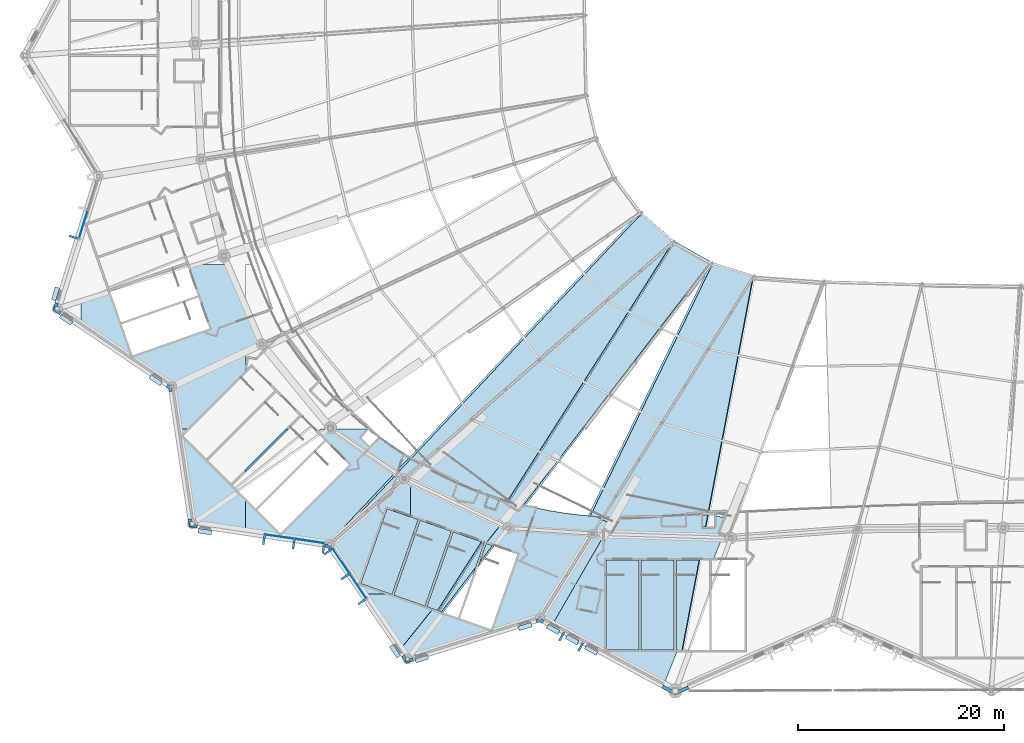
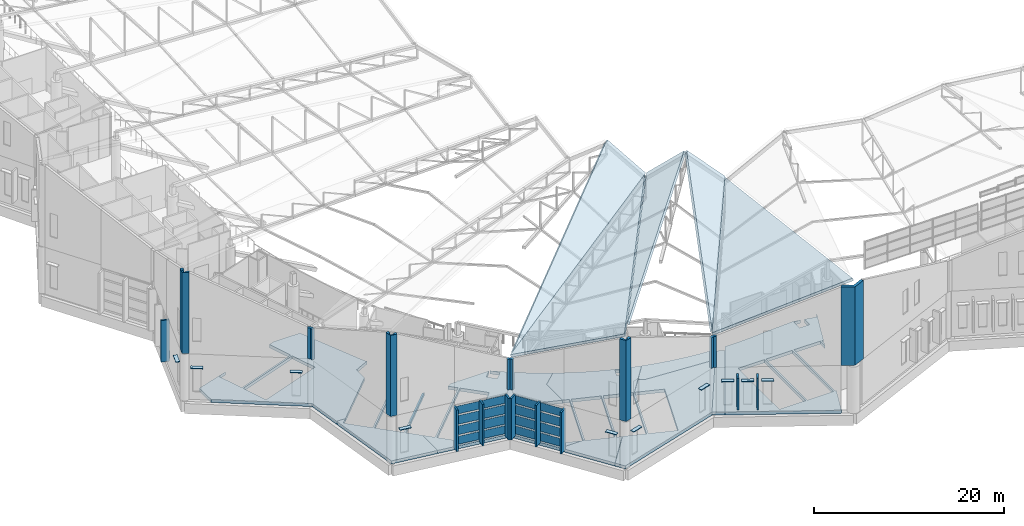
# One storey, part 225 of 344: 43 plates, 14 slabs, 3 elements without a shape of their own.
"""IFC4 building model written with IfcOpenShell, lengths in metres."""

from ifc_helpers import new_model, si_unit, direction, frame, origin, origin_2d, place, context, subcontext, project, spatial, polyline, rectangle, outline, extrude, material, layer, layer_set, type_object, element, aggregate, save


model = new_model("IFC4")

# Units and contexts
model_context = context("Model", 3, precision=1e-05, world=origin(), true_north=direction((0.0, 1.0)))
body_context = subcontext(model_context, "Body", "Model", "MODEL_VIEW")
ifc_project = project(units=[si_unit("LENGTHUNIT", "METRE"), si_unit("AREAUNIT", "SQUARE_METRE"), si_unit("VOLUMEUNIT", "CUBIC_METRE"), si_unit("PLANEANGLEUNIT", "RADIAN"), si_unit("MASSUNIT", "GRAM", prefix="KILO")], contexts=[model_context])

# Site, building, storey
site_placement = place(None, origin())
site = spatial("IfcSite", under=ifc_project, at=site_placement, CompositionType="ELEMENT")
building_placement = place(site_placement, origin())
building = spatial("IfcBuilding", under=site, at=building_placement, Name="Meseta Stadium", CompositionType="ELEMENT")
storey_placement = place(building_placement, frame((0.0, 0.0, 24.0)))
storey = spatial("IfcBuildingStorey", under=building, at=storey_placement, Name="L04", CompositionType="ELEMENT", Elevation=24.0)

# Plates
ifc_material_1 = material(Name="White precast concrete C40/50", Category="concrete")
ifc_layer_1 = layer(ifc_material_1, 0.199951171875)
ifc_layer_set_1 = layer_set([ifc_layer_1], Name="Brise-soleil fin 200x900")
plate_type_1 = type_object("IfcPlateType", Name="Brise-soleil fin 200x900", PredefinedType="USERDEFINED", material=ifc_layer_set_1)
for number, where, z_axis, x_axis, name in (
    (1, (-96.688232421875, -61.373046875, 0.0), (0.0, 0.0, 1.0), (-0.296868988045, -0.954918218455, 0.0), "Brise-soleil fin F37.3"),
    (2, (-78.2392578125, -90.73388671875, 0.0), (0.0, 0.0, 1.0), (0.989158212782, -0.146853771096, 0.0), "Brise-soleil fin F40.1"),
    (3, (-75.345947265625, -91.16357421875, 0.0), (0.0, 0.0, 1.0), (0.989158212782, -0.146853771096, 0.0), "Brise-soleil fin F40.2"),
    (4, (-72.45263671875, -91.593017578125, 0.0), (0.0, 0.0, 1.0), (0.989158212782, -0.146853771096, 0.0), "Brise-soleil fin F40.3"),
    (5, (-71.99658203125, -91.8798828125, 0.0), (0.0, 0.0, 1.0), (0.561490339842, -0.827483291834, 0.0), "Brise-soleil fin F41.1"),
    (6, (-70.354248046875, -94.30029296875, 0.0), (0.0, 0.0, 1.0), (0.561490339842, -0.827483291834, 0.0), "Brise-soleil fin F41.2"),
    (7, (-68.711669921875, -96.720703125, 0.0), (0.0, 0.0, 1.0), (0.561490339842, -0.827483291834, 0.0), "Brise-soleil fin F41.3"),
):
    element("IfcPlate", number, at=place(storey_placement, frame(where, z_axis=z_axis, x_axis=x_axis)), inside=storey, type_object=plate_type_1, Name=name, ObjectType="FIN", PredefinedType="USERDEFINED", context=body_context, shape_type="SweptSolid", body=[
        extrude(rectangle(XDim=0.199951171875, YDim=0.89990234375, at=origin_2d()), origin(), (0.0, 0.0, 1.0), 5.35009765625),
    ])

# Curtain wall, plate
ifc_material_2 = material(Name="Steel S355", Category="steel")
ifc_layer_2 = layer(ifc_material_2, 0.300048828125)
ifc_layer_set_2 = layer_set([ifc_layer_2], Name="Valley atrium curtain wall")
curtain_wall_type = type_object("IfcCurtainWallType", Name="Valley atrium curtain wall", PredefinedType="NOTDEFINED", material=ifc_layer_set_2)
curtain_wall_1_placement = place(storey_placement, origin())
curtain_wall_1 = element("IfcCurtainWall", 8, at=curtain_wall_1_placement, inside=storey, type_object=curtain_wall_type, Name="Valley atrium glazing F37", PredefinedType="NOTDEFINED")
ifc_material_3 = material(Name="Glass", Category="glass")
ifc_layer_3 = layer(ifc_material_3, 0.035888671875)
ifc_layer_set_3 = layer_set([ifc_layer_3], Name="CW glass panel 36")
plate_type_2 = type_object("IfcPlateType", Name="CW glass panel 36", PredefinedType="CURTAIN_PANEL", material=ifc_layer_set_3)
plate_1_placement = place(storey_placement, frame((-95.752685546875, -60.13232421875, 0.199951171875), z_axis=(0.0, 0.0, 1.0), x_axis=(-0.296868987995, -0.95491821847, 0.0)))
plate_1 = element("IfcPlate", 9, at=plate_1_placement, type_object=plate_type_2, Name="CWA panel 2.1", PredefinedType="CURTAIN_PANEL", context=body_context, shape_type="SweptSolid", body=[
    extrude(rectangle(XDim=2.77490234375, YDim=0.035888671875, at=origin_2d()), origin(), (0.0, 0.0, 1.0), 1.03759765625),
])
aggregate(curtain_wall_1, [plate_1])

# Curtain wall, plates
curtain_wall_2_placement = place(storey_placement, origin())
curtain_wall_2 = element("IfcCurtainWall", 10, at=curtain_wall_2_placement, inside=storey, type_object=curtain_wall_type, Name="Valley atrium glazing F40", PredefinedType="NOTDEFINED")
plate_2_placement = place(storey_placement, frame((-76.715576171875, -90.429443359375, 0.199951171875), z_axis=(0.0, 0.0, 1.0), x_axis=(0.989158212798, -0.146853770992, 0.0)))
plate_2 = element("IfcPlate", 11, at=plate_2_placement, type_object=plate_type_2, Name="CWA panel 1.1", PredefinedType="CURTAIN_PANEL", context=body_context, shape_type="SweptSolid", body=[
    extrude(rectangle(XDim=2.77490234375, YDim=0.035888671875, at=origin_2d()), origin(), (0.0, 0.0, 1.0), 1.03759765625),
])
plate_3_placement = place(storey_placement, frame((-76.715576171875, -90.429443359375, 1.4375), z_axis=(0.0, 0.0, 1.0), x_axis=(0.989158212798, -0.146853770992, 0.0)))
plate_3 = element("IfcPlate", 12, at=plate_3_placement, type_object=plate_type_2, Name="CWA panel 1.2", PredefinedType="CURTAIN_PANEL", context=body_context, shape_type="SweptSolid", body=[
    extrude(rectangle(XDim=2.77490234375, YDim=0.035888671875, at=origin_2d()), origin(), (0.0, 0.0, 1.0), 1.137451171875),
])
plate_4_placement = place(storey_placement, frame((-76.715576171875, -90.429443359375, 2.77490234375), z_axis=(0.0, 0.0, 1.0), x_axis=(0.989158212798, -0.146853770992, 0.0)))
plate_4 = element("IfcPlate", 13, at=plate_4_placement, type_object=plate_type_2, Name="CWA panel 1.3", PredefinedType="CURTAIN_PANEL", context=body_context, shape_type="SweptSolid", body=[
    extrude(rectangle(XDim=2.77490234375, YDim=0.035888671875, at=origin_2d()), origin(), (0.0, 0.0, 1.0), 1.137451171875),
])
plate_5_placement = place(storey_placement, frame((-76.715576171875, -90.429443359375, 4.112548828125), z_axis=(0.0, 0.0, 1.0), x_axis=(0.989158212798, -0.146853770992, 0.0)))
plate_5 = element("IfcPlate", 14, at=plate_5_placement, type_object=plate_type_2, Name="CWA panel 1.4", PredefinedType="CURTAIN_PANEL", context=body_context, shape_type="SweptSolid", body=[
    extrude(rectangle(XDim=2.77490234375, YDim=0.035888671875, at=origin_2d()), origin(), (0.0, 0.0, 1.0), 1.03759765625),
])
plate_6_placement = place(storey_placement, frame((-73.822265625, -90.85888671875, 0.199951171875), z_axis=(0.0, 0.0, 1.0), x_axis=(0.989158212798, -0.146853770992, 0.0)))
plate_6 = element("IfcPlate", 15, at=plate_6_placement, type_object=plate_type_2, Name="CWA panel 2.1", PredefinedType="CURTAIN_PANEL", context=body_context, shape_type="SweptSolid", body=[
    extrude(rectangle(XDim=2.77490234375, YDim=0.035888671875, at=origin_2d()), origin(), (0.0, 0.0, 1.0), 1.03759765625),
])
plate_7_placement = place(storey_placement, frame((-73.822265625, -90.85888671875, 1.4375), z_axis=(0.0, 0.0, 1.0), x_axis=(0.989158212798, -0.146853770992, 0.0)))
plate_7 = element("IfcPlate", 16, at=plate_7_placement, type_object=plate_type_2, Name="CWA panel 2.2", PredefinedType="CURTAIN_PANEL", context=body_context, shape_type="SweptSolid", body=[
    extrude(rectangle(XDim=2.77490234375, YDim=0.035888671875, at=origin_2d()), origin(), (0.0, 0.0, 1.0), 1.137451171875),
])
plate_8_placement = place(storey_placement, frame((-73.822265625, -90.85888671875, 2.77490234375), z_axis=(0.0, 0.0, 1.0), x_axis=(0.989158212798, -0.146853770992, 0.0)))
plate_8 = element("IfcPlate", 17, at=plate_8_placement, type_object=plate_type_2, Name="CWA panel 2.3", PredefinedType="CURTAIN_PANEL", context=body_context, shape_type="SweptSolid", body=[
    extrude(rectangle(XDim=2.77490234375, YDim=0.035888671875, at=origin_2d()), origin(), (0.0, 0.0, 1.0), 1.137451171875),
])
plate_9_placement = place(storey_placement, frame((-73.822265625, -90.85888671875, 4.112548828125), z_axis=(0.0, 0.0, 1.0), x_axis=(0.989158212798, -0.146853770992, 0.0)))
plate_9 = element("IfcPlate", 18, at=plate_9_placement, type_object=plate_type_2, Name="CWA panel 2.4", PredefinedType="CURTAIN_PANEL", context=body_context, shape_type="SweptSolid", body=[
    extrude(rectangle(XDim=2.77490234375, YDim=0.035888671875, at=origin_2d()), origin(), (0.0, 0.0, 1.0), 1.03759765625),
])
aggregate(curtain_wall_2, [plate_2, plate_3, plate_4, plate_5, plate_6, plate_7, plate_8, plate_9])

curtain_wall_3_placement = place(storey_placement, origin())
curtain_wall_3 = element("IfcCurtainWall", 19, at=curtain_wall_3_placement, inside=storey, type_object=curtain_wall_type, Name="Valley atrium glazing F41", PredefinedType="NOTDEFINED")
plate_10_placement = place(storey_placement, frame((-70.740966796875, -92.79541015625, 0.199951171875), z_axis=(0.0, 0.0, 1.0), x_axis=(0.561490339842, -0.827483291834, 0.0)))
plate_10 = element("IfcPlate", 20, at=plate_10_placement, type_object=plate_type_2, Name="CWA panel 1.1", PredefinedType="CURTAIN_PANEL", context=body_context, shape_type="SweptSolid", body=[
    extrude(rectangle(XDim=2.77490234375, YDim=0.035888671875, at=origin_2d()), origin(), (0.0, 0.0, 1.0), 1.03759765625),
])
plate_11_placement = place(storey_placement, frame((-70.740966796875, -92.79541015625, 1.4375), z_axis=(0.0, 0.0, 1.0), x_axis=(0.561490339842, -0.827483291834, 0.0)))
plate_11 = element("IfcPlate", 21, at=plate_11_placement, type_object=plate_type_2, Name="CWA panel 1.2", PredefinedType="CURTAIN_PANEL", context=body_context, shape_type="SweptSolid", body=[
    extrude(rectangle(XDim=2.77490234375, YDim=0.035888671875, at=origin_2d()), origin(), (0.0, 0.0, 1.0), 1.137451171875),
])
plate_12_placement = place(storey_placement, frame((-70.740966796875, -92.79541015625, 2.77490234375), z_axis=(0.0, 0.0, 1.0), x_axis=(0.561490339842, -0.827483291834, 0.0)))
plate_12 = element("IfcPlate", 22, at=plate_12_placement, type_object=plate_type_2, Name="CWA panel 1.3", PredefinedType="CURTAIN_PANEL", context=body_context, shape_type="SweptSolid", body=[
    extrude(rectangle(XDim=2.77490234375, YDim=0.035888671875, at=origin_2d()), origin(), (0.0, 0.0, 1.0), 1.137451171875),
])
plate_13_placement = place(storey_placement, frame((-70.740966796875, -92.79541015625, 4.112548828125), z_axis=(0.0, 0.0, 1.0), x_axis=(0.561490339842, -0.827483291834, 0.0)))
plate_13 = element("IfcPlate", 23, at=plate_13_placement, type_object=plate_type_2, Name="CWA panel 1.4", PredefinedType="CURTAIN_PANEL", context=body_context, shape_type="SweptSolid", body=[
    extrude(rectangle(XDim=2.77490234375, YDim=0.035888671875, at=origin_2d()), origin(), (0.0, 0.0, 1.0), 1.03759765625),
])
plate_14_placement = place(storey_placement, frame((-69.0986328125, -95.215576171875, 0.199951171875), z_axis=(0.0, 0.0, 1.0), x_axis=(0.561490339842, -0.827483291834, 0.0)))
plate_14 = element("IfcPlate", 24, at=plate_14_placement, type_object=plate_type_2, Name="CWA panel 2.1", PredefinedType="CURTAIN_PANEL", context=body_context, shape_type="SweptSolid", body=[
    extrude(rectangle(XDim=2.77490234375, YDim=0.035888671875, at=origin_2d()), origin(), (0.0, 0.0, 1.0), 1.03759765625),
])
plate_15_placement = place(storey_placement, frame((-69.0986328125, -95.215576171875, 1.4375), z_axis=(0.0, 0.0, 1.0), x_axis=(0.561490339842, -0.827483291834, 0.0)))
plate_15 = element("IfcPlate", 25, at=plate_15_placement, type_object=plate_type_2, Name="CWA panel 2.2", PredefinedType="CURTAIN_PANEL", context=body_context, shape_type="SweptSolid", body=[
    extrude(rectangle(XDim=2.77490234375, YDim=0.035888671875, at=origin_2d()), origin(), (0.0, 0.0, 1.0), 1.137451171875),
])
plate_16_placement = place(storey_placement, frame((-69.0986328125, -95.215576171875, 2.77490234375), z_axis=(0.0, 0.0, 1.0), x_axis=(0.561490339842, -0.827483291834, 0.0)))
plate_16 = element("IfcPlate", 26, at=plate_16_placement, type_object=plate_type_2, Name="CWA panel 2.3", PredefinedType="CURTAIN_PANEL", context=body_context, shape_type="SweptSolid", body=[
    extrude(rectangle(XDim=2.77490234375, YDim=0.035888671875, at=origin_2d()), origin(), (0.0, 0.0, 1.0), 1.137451171875),
])
plate_17_placement = place(storey_placement, frame((-69.0986328125, -95.215576171875, 4.112548828125), z_axis=(0.0, 0.0, 1.0), x_axis=(0.561490339842, -0.827483291834, 0.0)))
plate_17 = element("IfcPlate", 27, at=plate_17_placement, type_object=plate_type_2, Name="CWA panel 2.4", PredefinedType="CURTAIN_PANEL", context=body_context, shape_type="SweptSolid", body=[
    extrude(rectangle(XDim=2.77490234375, YDim=0.035888671875, at=origin_2d()), origin(), (0.0, 0.0, 1.0), 1.03759765625),
])
aggregate(curtain_wall_3, [plate_10, plate_11, plate_12, plate_13, plate_14, plate_15, plate_16, plate_17])

# Slabs
ifc_material_4 = material(Name="Concrete C40/50", Category="concrete")
ifc_layer_4 = layer(ifc_material_4, 0.39990234375)
ifc_layer_set_4 = layer_set([ifc_layer_4], Name="Floor slab 400")
slab_type_1 = type_object("IfcSlabType", Name="Floor slab 400", PredefinedType="FLOOR", material=ifc_layer_set_4)
slab_1_placement = place(storey_placement, frame((0.0, 0.0, -0.39990234375)))
element("IfcSlab", 28, at=slab_1_placement, inside=storey, type_object=slab_type_1, Name="Floor slab L04 sector 35 panel 04", PredefinedType="FLOOR", context=body_context, shape_type="SweptSolid", body=[
    extrude(outline(polyline([(-78.4453125, -71.756103515625), (-81.772705078125, -64.0), (-84.956787109375, -64.0), (-85.63037109375, -64.211181640625), (-84.647705078125, -67.01953125), (-92.104248046875, -69.62890625), (-93.1611328125, -66.6083984375), (-92.1708984375, -66.26171875), (-96.0, -67.46240234375), (-96.0, -69.85205078125), (-87.15087890625, -75.856689453125), (-86.53564453125, -80.0), (-85.475341796875, -80.0), (-80.0, -74.524658203125), (-80.0, -72.84228515625), (-78.246337890625, -71.998779296875), (-78.4453125, -71.756103515625)]), holes=[polyline([(-92.0380859375, -69.8173828125), (-84.58154296875, -67.208251953125), (-83.524658203125, -70.228759765625), (-90.981201171875, -72.837890625), (-92.0380859375, -69.8173828125)])]), origin(), (0.0, 0.0, 1.0), 0.39990234375),
])
slab_2_placement = place(storey_placement, frame((0.0, 0.0, -0.39990234375)))
element("IfcSlab", 29, at=slab_2_placement, inside=storey, type_object=slab_type_1, Name="Floor slab L04 sector 35 panel 05", PredefinedType="FLOOR", context=body_context, shape_type="SweptSolid", body=[
    extrude(outline(polyline([(-80.0, -79.3330078125), (-80.0, -79.05029296875), (-83.830078125, -82.880615234375), (-86.093017578125, -80.61767578125), (-85.475341796875, -80.0), (-86.53564453125, -80.0), (-85.173583984375, -89.173583984375), (-80.0, -89.94189453125), (-80.0, -86.710693359375), (-81.28466796875, -85.426025390625), (-80.0, -84.141357421875), (-80.0, -83.858642578125), (-81.426025390625, -85.28466796875), (-83.688720703125, -83.02197265625), (-80.0, -79.3330078125)])), origin(), (0.0, 0.0, 1.0), 0.39990234375),
])
slab_3_placement = place(storey_placement, frame((0.0, 0.0, -0.39990234375)))
element("IfcSlab", 30, at=slab_3_placement, inside=storey, type_object=slab_type_1, Name="Floor slab L04 sector 35 panel 06", PredefinedType="FLOOR", context=body_context, shape_type="SweptSolid", body=[
    extrude(outline(polyline([(-80.0, -83.858642578125), (-80.0, -84.141357421875), (-75.858642578125, -80.0), (-76.141357421875, -80.0), (-80.0, -83.858642578125)])), origin(), (0.0, 0.0, 1.0), 0.39990234375),
])
slab_4_placement = place(storey_placement, frame((0.0, 0.0, -0.39990234375)))
element("IfcSlab", 31, at=slab_4_placement, inside=storey, type_object=slab_type_1, Name="Floor slab L04 sector 35 panel 08", PredefinedType="FLOOR", context=body_context, shape_type="SweptSolid", body=[
    extrude(outline(polyline([(-64.0, -88.516357421875), (-64.0, -85.181396484375), (-62.369384765625, -83.688720703125), (-63.736572265625, -82.89990234375), (-65.07080078125, -82.05712890625), (-66.36962890625, -81.161376953125), (-67.63134765625, -80.21435546875), (-67.894287109375, -80.0), (-67.91650390625, -80.0), (-67.114501953125, -80.802001953125), (-67.963134765625, -81.650390625), (-68.811767578125, -80.802001953125), (-68.009765625, -80.0), (-71.61328125, -80.0), (-71.775390625, -79.888916015625), (-71.935791015625, -80.0), (-72.741455078125, -80.0), (-73.144775390625, -80.272216796875), (-72.375, -81.0419921875), (-79.02197265625, -87.688720703125), (-80.0, -86.710693359375), (-80.0, -89.94189453125), (-71.856689453125, -91.15087890625), (-68.56640625, -96.0), (-65.9267578125, -96.0), (-68.837890625, -94.981201171875), (-66.294921875, -87.71337890625), (-64.0, -88.516357421875)]), holes=[polyline([(-78.880615234375, -87.830078125), (-72.233642578125, -81.183349609375), (-69.970947265625, -83.4462890625), (-76.61767578125, -90.093017578125), (-78.880615234375, -87.830078125)])]), origin(), (0.0, 0.0, 1.0), 0.39990234375),
])
slab_5_placement = place(storey_placement, frame((0.0, 0.0, -0.39990234375)))
element("IfcSlab", 32, at=slab_5_placement, inside=storey, type_object=slab_type_1, Name="Floor slab L04 sector 35 panel 09", PredefinedType="FLOOR", context=body_context, shape_type="SweptSolid", body=[
    extrude(outline(polyline([(-65.8173828125, -96.0380859375), (-65.9267578125, -96.0), (-68.56640625, -96.0), (-64.973388671875, -101.294921875), (-61.85107421875, -97.426025390625), (-62.419677734375, -97.227294921875), (-61.990234375, -96.0), (-62.201904296875, -96.0), (-62.6083984375, -97.1611328125), (-65.62890625, -96.104248046875), (-65.59228515625, -96.0), (-65.80419921875, -96.0), (-65.8173828125, -96.0380859375)])), origin(), (0.0, 0.0, 1.0), 0.39990234375),
])
slab_6_placement = place(storey_placement, frame((0.0, 0.0, -0.39990234375)))
element("IfcSlab", 33, at=slab_6_placement, inside=storey, type_object=slab_type_1, Name="Floor slab L04 sector 35 panel 10", PredefinedType="FLOOR", context=body_context, shape_type="SweptSolid", body=[
    extrude(outline(polyline([(-64.0, -85.181396484375), (-64.0, -88.516357421875), (-63.2744140625, -88.770263671875), (-65.80419921875, -96.0), (-65.59228515625, -96.0), (-63.085693359375, -88.836181640625), (-60.065185546875, -89.893310546875), (-62.201904296875, -96.0), (-61.990234375, -96.0), (-59.87646484375, -89.959228515625), (-56.85595703125, -91.01611328125), (-56.9921875, -91.40576171875), (-53.608642578125, -87.213134765625), (-55.115966796875, -86.77685546875), (-56.614501953125, -86.27685546875), (-58.091552734375, -85.717041015625), (-59.54443359375, -85.098388671875), (-60.97119140625, -84.422119140625), (-62.369384765625, -83.688720703125), (-64.0, -85.181396484375)]), holes=[polyline([(-55.787841796875, -87.8125), (-56.779052734375, -87.4658203125), (-56.44873046875, -86.521728515625), (-55.45751953125, -86.86865234375), (-55.787841796875, -87.8125)])]), origin(), (0.0, 0.0, 1.0), 0.39990234375),
])
slab_7_placement = place(storey_placement, frame((0.0, 0.0, -0.39990234375)))
element("IfcSlab", 34, at=slab_7_placement, inside=storey, type_object=slab_type_1, Name="Floor slab L04 sector 42 panel 01", PredefinedType="FLOOR", context=body_context, shape_type="SweptSolid", body=[
    extrude(outline(polyline([(-59.399169921875, -98.2841796875), (-61.8310546875, -97.43310546875), (-64.961669921875, -101.312255859375), (-64.297607421875, -102.291015625), (-51.44140625, -98.29443359375), (-46.333251953125, -90.126220703125), (-54.523193359375, -89.579345703125), (-55.224365234375, -89.246826171875), (-57.011962890625, -91.4619140625), (-59.399169921875, -98.2841796875)]), holes=[polyline([(-56.667236328125, -91.082275390625), (-53.646728515625, -92.13916015625), (-56.18994140625, -99.406982421875), (-59.21044921875, -98.35009765625), (-56.667236328125, -91.082275390625)])]), origin(), (0.0, 0.0, 1.0), 0.39990234375),
])
slab_8_placement = place(storey_placement, frame((0.0, 0.0, -0.39990234375)))
element("IfcSlab", 35, at=slab_8_placement, inside=storey, type_object=slab_type_1, Name="Floor slab L04 sector 42 panel 02", PredefinedType="FLOOR", context=body_context, shape_type="SweptSolid", body=[
    extrude(outline(polyline([(-44.232177734375, -88.542236328125), (-44.232421875, -88.542236328125), (-44.50439453125, -89.01318359375), (-44.609619140625, -89.165771484375), (-46.056396484375, -88.459716796875), (-47.38671875, -88.352783203125), (-48.95556640625, -88.162841796875), (-50.515380859375, -87.90966796875), (-52.06396484375, -87.593994140625), (-53.58740234375, -87.21875), (-55.224365234375, -89.246826171875), (-54.523193359375, -89.579345703125), (-46.333251953125, -90.126220703125), (-51.44140625, -98.29443359375), (-50.244384765625, -98.943359375), (-44.232177734375, -88.542236328125)])), origin(), (0.0, 0.0, 1.0), 0.39990234375),
])
slab_9_placement = place(storey_placement, frame((0.0, 0.0, -0.39990234375)))
element("IfcSlab", 36, at=slab_9_placement, inside=storey, type_object=slab_type_1, Name="Floor slab L04 sector 42 panel 03", PredefinedType="FLOOR", context=body_context, shape_type="SweptSolid", body=[
    extrude(outline(polyline([(-32.769287109375, -87.978759765625), (-32.980712890625, -88.511474609375), (-33.06201171875, -88.67822265625), (-34.4833984375, -88.388427734375), (-34.4833984375, -89.501220703125), (-35.683349609375, -89.501220703125), (-35.683349609375, -88.301025390625), (-34.912109375, -88.301025390625), (-35.716552734375, -88.13720703125), (-37.247802734375, -88.22119140625), (-39.499267578125, -88.348388671875), (-41.073486328125, -88.476806640625), (-42.652099609375, -88.54150390625), (-44.232177734375, -88.542236328125), (-50.244384765625, -98.943359375), (-39.443603515625, -104.798095703125), (-38.09521484375, -101.39990234375), (-38.2333984375, -101.39990234375), (-38.2333984375, -92.699951171875), (-35.033203125, -92.699951171875), (-35.033203125, -93.683837890625), (-34.833251953125, -93.179931640625), (-34.833251953125, -92.699951171875), (-34.642822265625, -92.699951171875), (-32.769287109375, -87.978759765625)]), holes=[polyline([(-38.433349609375, -92.699951171875), (-38.433349609375, -101.39990234375), (-41.63330078125, -101.39990234375), (-41.63330078125, -92.699951171875), (-38.433349609375, -92.699951171875)]), polyline([(-41.833251953125, -92.699951171875), (-41.833251953125, -101.39990234375), (-45.033203125, -101.39990234375), (-45.033203125, -92.699951171875), (-41.833251953125, -92.699951171875)])]), origin(), (0.0, 0.0, 1.0), 0.39990234375),
])

# Plates
ifc_material_5 = material(Name="White precast concrete C40/50", Category="concrete")
ifc_layer_5 = layer(ifc_material_5, 0.320068359375)
ifc_layer_set_5 = layer_set([ifc_layer_5], Name="Fold closer plate 320")
plate_type_3 = type_object("IfcPlateType", Name="Fold closer plate 320", PredefinedType="USERDEFINED", material=ifc_layer_set_5)
plate_18_placement = place(storey_placement, frame((0.0, 0.0, 6.0)))
element("IfcPlate", 37, at=plate_18_placement, inside=storey, type_object=plate_type_3, Name="Pleated fascia fold closer L04 F37", ObjectType="CLADDING", PredefinedType="USERDEFINED", context=body_context, shape_type="SweptSolid", body=[
    extrude(outline(polyline([(-98.714111328125, -68.445556640625), (-98.07958984375, -68.8759765625), (-97.89990234375, -68.611083984375), (-98.0810546875, -68.48828125), (-98.082275390625, -68.502197265625), (-98.091064453125, -68.507568359375), (-98.4912109375, -68.507568359375), (-98.498291015625, -68.50439453125), (-98.501220703125, -68.498291015625), (-98.50048828125, -68.093505859375), (-98.4912109375, -68.08740234375), (-98.267578125, -68.08740234375), (-98.180908203125, -67.808349609375), (-98.486572265625, -67.71337890625), (-98.714111328125, -68.445556640625)])), origin(), (0.0, 0.0, 1.0), 10.4326171875),
])
plate_19_placement = place(storey_placement, frame((0.0, 0.0, 6.0)))
element("IfcPlate", 38, at=plate_19_placement, inside=storey, type_object=plate_type_3, Name="Pleated fascia fold closer L04 F38", ObjectType="CLADDING", PredefinedType="USERDEFINED", context=body_context, shape_type="SweptSolid", body=[
    extrude(outline(polyline([(-87.483642578125, -76.06591796875), (-87.44091796875, -76.354248046875), (-87.12451171875, -76.30712890625), (-87.16748046875, -76.016845703125), (-87.30078125, -76.016845703125), (-87.307861328125, -76.013916015625), (-87.310791015625, -76.0068359375), (-87.310791015625, -75.79638671875), (-87.54541015625, -75.63720703125), (-87.72509765625, -75.902099609375), (-87.483642578125, -76.06591796875)])), origin(), (0.0, 0.0, 1.0), 3.947998046875),
])
plate_20_placement = place(storey_placement, frame((0.0, 0.0, 6.0)))
element("IfcPlate", 39, at=plate_20_placement, inside=storey, type_object=plate_type_3, Name="Pleated fascia fold closer L04 F39", ObjectType="CLADDING", PredefinedType="USERDEFINED", context=body_context, shape_type="SweptSolid", body=[
    extrude(outline(polyline([(-85.490478515625, -89.490478515625), (-84.732666015625, -89.603271484375), (-84.685546875, -89.28662109375), (-84.963623046875, -89.245361328125), (-84.9638671875, -89.374755859375), (-84.970703125, -89.38330078125), (-85.37939453125, -89.382080078125), (-85.3837890625, -89.373779296875), (-85.38330078125, -88.970703125), (-85.374755859375, -88.9638671875), (-85.245361328125, -88.963623046875), (-85.28662109375, -88.685546875), (-85.603271484375, -88.732666015625), (-85.490478515625, -89.490478515625)])), origin(), (0.0, 0.0, 1.0), 10.432861328125),
])
plate_21_placement = place(storey_placement, frame((0.0, 0.0, 6.0)))
element("IfcPlate", 40, at=plate_21_placement, inside=storey, type_object=plate_type_3, Name="Pleated fascia fold closer L04 F40", ObjectType="CLADDING", PredefinedType="USERDEFINED", context=body_context, shape_type="SweptSolid", body=[
    extrude(outline(polyline([(-72.06591796875, -91.483642578125), (-71.902099609375, -91.72509765625), (-71.63720703125, -91.54541015625), (-71.79638671875, -91.310791015625), (-72.0068359375, -91.310791015625), (-72.013916015625, -91.307861328125), (-72.016845703125, -91.30078125), (-72.016845703125, -91.16748046875), (-72.30712890625, -91.12451171875), (-72.354248046875, -91.44091796875), (-72.06591796875, -91.483642578125)])), origin(), (0.0, 0.0, 1.0), 3.947998046875),
])
plate_22_placement = place(storey_placement, frame((0.0, 0.0, 6.0)))
element("IfcPlate", 41, at=plate_22_placement, inside=storey, type_object=plate_type_3, Name="Pleated fascia fold closer L04 F41", ObjectType="CLADDING", PredefinedType="USERDEFINED", context=body_context, shape_type="SweptSolid", body=[
    extrude(outline(polyline([(-64.445556640625, -102.714111328125), (-63.71337890625, -102.486572265625), (-63.808349609375, -102.180908203125), (-64.112548828125, -102.275390625), (-64.112548828125, -102.466064453125), (-64.11865234375, -102.475341796875), (-64.473388671875, -102.47607421875), (-64.4794921875, -102.47314453125), (-64.482421875, -102.466064453125), (-64.482421875, -102.1162109375), (-64.478759765625, -102.1083984375), (-64.47119140625, -102.106201171875), (-64.611083984375, -101.89990234375), (-64.8759765625, -102.07958984375), (-64.445556640625, -102.714111328125)])), origin(), (0.0, 0.0, 1.0), 10.4326171875),
])
plate_23_placement = place(storey_placement, frame((0.0, 0.0, 6.0)))
element("IfcPlate", 42, at=plate_23_placement, inside=storey, type_object=plate_type_3, Name="Pleated fascia fold closer L04 F42", ObjectType="CLADDING", PredefinedType="USERDEFINED", context=body_context, shape_type="SweptSolid", body=[
    extrude(outline(polyline([(-51.76416015625, -98.771728515625), (-51.4794921875, -98.683349609375), (-51.217529296875, -98.8251953125), (-51.06494140625, -98.5439453125), (-51.306396484375, -98.4130859375), (-51.3076171875, -98.424072265625), (-51.3154296875, -98.429443359375), (-51.5673828125, -98.429443359375), (-51.576416015625, -98.42138671875), (-51.576416015625, -98.37841796875), (-51.859130859375, -98.46630859375), (-51.76416015625, -98.771728515625)])), origin(), (0.0, 0.0, 1.0), 3.9541015625),
])
plate_24_placement = place(storey_placement, frame((0.0, 0.0, 6.0)))
element("IfcPlate", 43, at=plate_24_placement, inside=storey, type_object=plate_type_3, Name="Pleated fascia fold closer L04 F43", ObjectType="CLADDING", PredefinedType="USERDEFINED", context=body_context, shape_type="SweptSolid", body=[
    extrude(outline(polyline([(-39.4951171875, -104.81591796875), (-39.6474609375, -105.09716796875), (-38.34912109375, -105.80078125), (-37.0, -105.202392578125), (-37.1298828125, -104.909912109375), (-38.335205078125, -105.444580078125), (-39.4951171875, -104.81591796875)])), origin(), (0.0, 0.0, 1.0), 10.09228515625),
])
ifc_material_6 = material(Name="White precast concrete C40/50", Category="concrete")
ifc_layer_6 = layer(ifc_material_6, 0.080078125)
ifc_layer_set_6 = layer_set([ifc_layer_6], Name="Louvre hood 1300x450")
plate_type_4 = type_object("IfcPlateType", Name="Louvre hood 1300x450", PredefinedType="USERDEFINED", material=ifc_layer_set_6)
for number, where, z_axis, x_axis, name in (
    (44, (-98.4599609375, -66.8701171875, 4.25), (0.0, 0.0, 1.0), (-0.296868988045, -0.954918218455, 0.0), "Louvre hood L04 F37"),
    (45, (-88.732421875, -75.248779296875, 4.25), (0.0, 0.0, 1.0), (0.827483291834, -0.561490339842, 0.0), "Louvre hood L04 F38"),
    (46, (-97.4208984375, -69.353271484375, 4.25), (0.0, 0.0, 1.0), (0.827483291834, -0.561490339842, 0.0), "Louvre hood L04 F38"),
    (47, (-83.9609375, -89.945068359375, 4.25), (0.0, 0.0, 1.0), (0.989158212782, -0.146853771096, 0.0), "Louvre hood L04 F40"),
    (48, (-65.518798828125, -101.533203125, 4.25), (0.0, 0.0, 1.0), (0.561490339842, -0.827483291834, 0.0), "Louvre hood L04 F41"),
    (49, (-52.90283203125, -99.15185546875, 4.25), (0.0, 0.0, 1.0), (0.954918218455, 0.296868988045, 0.0), "Louvre hood L04 F42"),
    (50, (-62.929443359375, -102.26904296875, 4.25), (0.0, 0.0, 1.0), (0.954918218455, 0.296868988045, 0.0), "Louvre hood L04 F42"),
    (51, (-50.17431640625, -99.419189453125, 4.25), (0.0, 0.0, 1.0), (0.879141822541, -0.476560233191, 0.0), "Louvre hood L04 F43"),
    (52, (-48.328125, -100.419921875, 4.25), (0.0, 0.0, 1.0), (0.879141822541, -0.476560233191, 0.0), "Louvre hood L04 F43"),
    (53, (-46.48193359375, -101.420654296875, 4.25), (0.0, 0.0, 1.0), (0.879141822541, -0.476560233191, 0.0), "Louvre hood L04 F43"),
):
    element("IfcPlate", number, at=place(storey_placement, frame(where, z_axis=z_axis, x_axis=x_axis)), inside=storey, type_object=plate_type_4, Name=name, ObjectType="LOUVRE", PredefinedType="USERDEFINED", context=body_context, shape_type="SweptSolid", body=[
        extrude(rectangle(XDim=1.300048828125, YDim=0.449951171875, at=origin_2d()), origin(), (0.0, 0.0, 1.0), 0.080078125),
    ])
ifc_material_7 = material(Name="Precast concrete C40/50, terracotta pigment", Category="masonry")
ifc_layer_7 = layer(ifc_material_7, 0.199951171875)
ifc_layer_set_7 = layer_set([ifc_layer_7], Name="Precast concrete C40/50, terracotta pigment")
plate_type_5 = type_object("IfcPlateType", Name="Precast fin 200x900", PredefinedType="USERDEFINED", material=ifc_layer_set_7)
for number, where, z_axis, x_axis, name in (
    (54, (-47.51220703125, -101.1181640625, 0.9501953125), (0.0, 0.0, 1.0), (-0.879141700714, 0.476560457933, 0.0), "Precast fin L04 F43.1"),
    (55, (-49.3583984375, -100.117431640625, 0.9501953125), (0.0, 0.0, 1.0), (-0.879141700714, 0.476560457933, 0.0), "Precast fin L04 F43.2"),
):
    element("IfcPlate", number, at=place(storey_placement, frame(where, z_axis=z_axis, x_axis=x_axis)), inside=storey, type_object=plate_type_5, Name=name, ObjectType="FIN", PredefinedType="USERDEFINED", context=body_context, shape_type="SweptSolid", body=[
        extrude(rectangle(XDim=0.199951171875, YDim=0.89990234375, at=origin_2d()), origin(), (0.0, 0.0, 1.0), 4.050048828125),
    ])

# Slabs
ifc_material_8 = material(Name="Precast concrete C40/50", Category="concrete")
ifc_layer_8 = layer(ifc_material_8, 0.300048828125)
ifc_layer_set_8 = layer_set([ifc_layer_8], Name="Roof plate 300")
slab_type_2 = type_object("IfcSlabType", Name="Roof plate 300", PredefinedType="ROOF", material=ifc_layer_set_8)
slab_10_placement = place(storey_placement, frame((-71.26806640625, -90.633544921875, 10.091552734375), z_axis=(0.514467185467, -0.429946558135, 0.741936299304), x_axis=(0.744053522555, 0.653925015809, -0.136990617463)))
element("IfcSlab", 56, at=slab_10_placement, inside=storey, type_object=slab_type_2, Name="Roof panel RP-40 A", PredefinedType="ROOF", context=body_context, shape_type="SweptSolid", body=[
    extrude(outline(polyline([(0.0, 0.0), (44.166201000633265, 8.881784197001252e-16), (43.132571669775004, 5.451106016853085), (43.112817068484965, 5.338073468365012), (42.55331053329991, 5.422354688355226), (0.0, 0.0)])), origin(), (0.0, 0.0, -1.0), 0.300048828125),
])
slab_11_placement = place(storey_placement, frame((-62.593994140625, -99.7763671875, 16.240966796875), z_axis=(-0.365038468741, 0.486821295424, 0.793569116499), x_axis=(0.519735443006, 0.813760704845, -0.260131859898)))
element("IfcSlab", 57, at=slab_11_placement, inside=storey, type_object=slab_type_2, Name="Roof panel RP-41 A", PredefinedType="ROOF", context=body_context, shape_type="SweptSolid", body=[
    extrude(outline(polyline([(0.0, 0.0), (46.67667331684317, 8.881784197001252e-16), (46.16509804522675, -4.812896094435289), (0.0, 0.0)])), origin(), (0.0, 0.0, -1.0), 0.300048828125),
])
slab_12_placement = place(storey_placement, frame((-71.856689453125, -91.15087890625, 10.199951171875), z_axis=(-0.196561597413, 0.410215152461, 0.890554359438), x_axis=(0.744053669709, 0.653924867271, -0.136990527253)))
element("IfcSlab", 58, at=slab_12_placement, inside=storey, type_object=slab_type_2, Name="Roof panel RP-41 B", PredefinedType="ROOF", context=body_context, shape_type="SweptSolid", body=[
    extrude(outline(polyline([(0.0, 0.0), (44.622012129834125, 0.0), (-2.572534908965431, -14.747499127929508), (0.0, 0.0)])), origin(), (0.0, 0.0, -1.0), 0.300048828125),
])
slab_13_placement = place(storey_placement, frame((-51.08203125, -97.7197265625, 10.07470703125), z_axis=(0.645391836729, -0.246111923951, 0.723117070724), x_axis=(0.521422772327, 0.833747790869, -0.181611986718)))
element("IfcSlab", 59, at=slab_13_placement, inside=storey, type_object=slab_type_2, Name="Roof panel RP-42 A", PredefinedType="ROOF", context=body_context, shape_type="SweptSolid", body=[
    extrude(outline(polyline([(0.0, 0.0), (39.123751919378584, 0.0), (37.37568484534884, 5.47983580381274), (37.36864891698549, 5.478795441050325), (37.34250260527219, 5.318446621857169), (36.77164085006787, 5.39124673713868), (0.0, 0.0)])), origin(), (0.0, 0.0, -1.0), 0.300048828125),
])
slab_14_placement = place(storey_placement, frame((-51.44140625, -98.29443359375, 10.199951171875), z_axis=(-0.267272142517, 0.361705248413, 0.893160072498), x_axis=(0.521417934598, 0.833750147953, -0.181615055181)))
element("IfcSlab", 60, at=slab_14_placement, inside=storey, type_object=slab_type_2, Name="Roof panel RP-43 B", PredefinedType="ROOF", context=body_context, shape_type="SweptSolid", body=[
    extrude(outline(polyline([(0.0, 0.0), (39.54857806438903, -1.7763568394002505e-15), (-0.32230755623918683, -16.275478430184965), (0.0, 0.0)])), origin(), (0.0, 0.0, -1.0), 0.300048828125),
])

save(model, "model.ifc")
